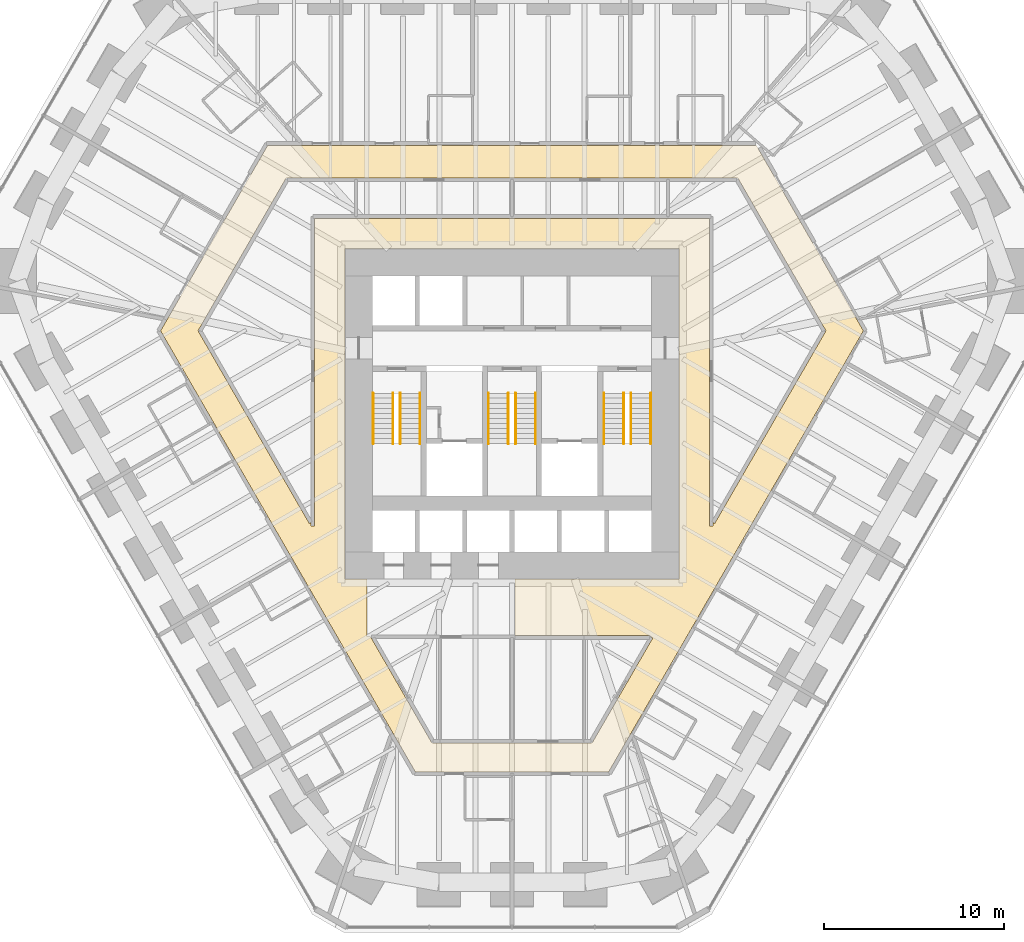
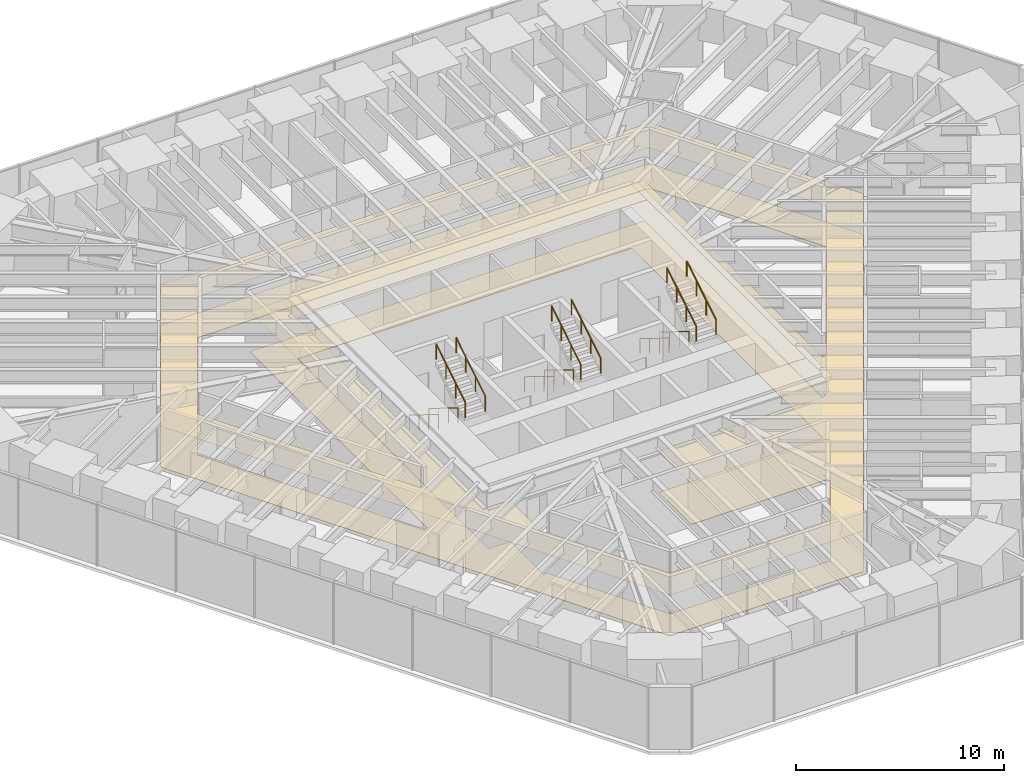
# One storey, part 17 of 17: 12 railings, 2 coverings.
"""IFC4 building model written with IfcOpenShell, lengths in metres."""

from ifc_helpers import new_model, si_unit, direction, frame, origin, origin_2d, place, context, subcontext, project, spatial, polyline, circle, outline, extrude, material, layer, layer_set, type_object, element, save


model = new_model("IFC4")

# Units and contexts
model_context = context("Model", 3, precision=1e-05, world=origin(), true_north=direction((0.0, 1.0)))
body_context = subcontext(model_context, "Body", "Model", "MODEL_VIEW")
ifc_project = project(units=[si_unit("LENGTHUNIT", "METRE"), si_unit("AREAUNIT", "SQUARE_METRE"), si_unit("VOLUMEUNIT", "CUBIC_METRE"), si_unit("PLANEANGLEUNIT", "RADIAN"), si_unit("MASSUNIT", "GRAM", prefix="KILO")], contexts=[model_context])

# Site, building, storey
site_placement = place(None, origin())
site = spatial("IfcSite", under=ifc_project, at=site_placement, CompositionType="ELEMENT")
building_placement = place(site_placement, origin())
building = spatial("IfcBuilding", under=site, at=building_placement, Name="Sandreach Pilgrim Tower", CompositionType="ELEMENT")
storey_placement = place(building_placement, frame((0.0, 0.0, 80.0)))
storey = spatial("IfcBuildingStorey", under=building, at=storey_placement, Name="L19", CompositionType="ELEMENT", Elevation=80.0)

# Covering
ifc_material_1 = material(Name="Gypsum board suspended ceiling on a steel grid", Category="steel")
ifc_layer_1 = layer(ifc_material_1, 0.012939453125)
ifc_layer_set_1 = layer_set([ifc_layer_1], Name="Gypsum board suspended ceiling")
covering_type_1 = type_object("IfcCoveringType", Name="Gypsum board suspended ceiling", PredefinedType="CEILING", material=ifc_layer_set_1)
covering_1_placement = place(storey_placement, frame((0.0, 0.0, 2.39990234375)))
element("IfcCovering", 1, at=covering_1_placement, inside=storey, type_object=covering_type_1, Name="Ceiling 19C Corridor 19", PredefinedType="CEILING", context=body_context, shape_type="SweptSolid", body=[
    extrude(outline(polyline([(-19.49462890625, 3.06005859375), (-13.55224609375, 13.35009765625), (13.55224609375, 13.35009765625), (19.494384765625, 3.06005859375), (5.3623046875, -21.409912109375), (-5.3623046875, -21.409912109375), (-19.49462890625, 3.06005859375)]), holes=[polyline([(-17.41552734375, 3.06005859375), (-11.24658203125, -7.61962890625), (-11.14990234375, -7.563720703125), (-11.14990234375, -7.760009765625), (-10.949951171875, -7.760009765625), (-10.949951171875, 9.300048828125), (10.949951171875, 9.300048828125), (10.949951171875, -7.760009765625), (11.14990234375, -7.760009765625), (11.14990234375, -7.563720703125), (11.24658203125, -7.61962890625), (17.41552734375, 3.06005859375), (12.517822265625, 11.550048828125), (-12.517822265625, 11.550048828125), (-17.41552734375, 3.06005859375)]), polyline([(-8.050048828125, -10.719970703125), (-8.050048828125, -13.89990234375), (-7.8544921875, -13.89990234375), (-4.437744140625, -19.81005859375), (4.437744140625, -19.81005859375), (7.796630859375, -14.0), (7.635009765625, -13.85009765625), (0.179931640625, -13.85009765625), (0.175048828125, -10.719970703125), (9.27001953125, -10.719970703125), (9.27001953125, 7.6201171875), (-9.27001953125, 7.6201171875), (-9.27001953125, -10.719970703125), (-8.050048828125, -10.719970703125)])]), origin(), (0.0, 0.0, 1.0), 0.01318359375),
])

# Railings
ifc_material_2 = material(Name="Stainless steel tube", Category="steel")
railing_type = type_object("IfcRailingType", Name="Stair handrail", PredefinedType="HANDRAIL", material=ifc_material_2)
for number, where, name in (
    (2, (-6.60009765625, -0.39990234375, 0.172607421875), "Handrail ST1 L19 flight 1"),
    (3, (-7.699951171875, -0.39990234375, 0.172607421875), "Handrail ST1 L19 flight 1"),
):
    element("IfcRailing", number, at=place(storey_placement, frame(where)), inside=storey, type_object=railing_type, Name=name, PredefinedType="HANDRAIL", context=body_context, shape_type="SweptSolid", body=[
        extrude(circle(Radius=0.02392578125, at=origin_2d()), frame((0.0, 0.0, 0.8759765625), z_axis=(0.0, -0.851089632645, 0.525020415988), x_axis=(1.0, 0.0, 0.0)), (0.0, 0.0, 1.0), 3.2900390625),
        extrude(circle(Radius=0.02099609375, at=origin_2d()), origin(), (0.0, 0.0, 1.0), 0.851806640625),
        extrude(circle(Radius=0.02099609375, at=origin_2d()), frame((0.0, -0.933349609375, 0.57568359375)), (0.0, 0.0, 1.0), 0.851806640625),
        extrude(circle(Radius=0.02099609375, at=origin_2d()), frame((0.0, -1.86669921875, 1.151611328125)), (0.0, 0.0, 1.0), 0.851806640625),
        extrude(circle(Radius=0.02099609375, at=origin_2d()), frame((0.0, -2.800048828125, 1.727294921875)), (0.0, 0.0, 1.0), 0.851806640625),
    ])
for number, where, name in (
    (4, (-6.199951171875, -3.199951171875, 2.07275390625), "Handrail ST1 L19 flight 2"),
    (5, (-5.10009765625, -3.199951171875, 2.07275390625), "Handrail ST1 L19 flight 2"),
):
    element("IfcRailing", number, at=place(storey_placement, frame(where)), inside=storey, type_object=railing_type, Name=name, PredefinedType="HANDRAIL", context=body_context, shape_type="SweptSolid", body=[
        extrude(circle(Radius=0.02392578125, at=origin_2d()), frame((0.0, 0.0, 0.8759765625), z_axis=(0.0, 0.851089632645, 0.525020415988), x_axis=(-1.0, 0.0, 0.0)), (0.0, 0.0, 1.0), 3.2900390625),
        extrude(circle(Radius=0.02099609375, at=origin_2d()), origin(), (0.0, 0.0, 1.0), 0.851806640625),
        extrude(circle(Radius=0.02099609375, at=origin_2d()), frame((0.0, 0.933349609375, 0.57568359375)), (0.0, 0.0, 1.0), 0.851806640625),
        extrude(circle(Radius=0.02099609375, at=origin_2d()), frame((0.0, 1.86669921875, 1.151611328125)), (0.0, 0.0, 1.0), 0.851806640625),
        extrude(circle(Radius=0.02099609375, at=origin_2d()), frame((0.0, 2.800048828125, 1.727294921875)), (0.0, 0.0, 1.0), 0.851806640625),
    ])
for number, where, name in (
    (6, (-0.199951171875, -0.39990234375, 0.172607421875), "Handrail ST3 L19 flight 1"),
    (7, (-1.300048828125, -0.39990234375, 0.172607421875), "Handrail ST3 L19 flight 1"),
):
    element("IfcRailing", number, at=place(storey_placement, frame(where)), inside=storey, type_object=railing_type, Name=name, PredefinedType="HANDRAIL", context=body_context, shape_type="SweptSolid", body=[
        extrude(circle(Radius=0.02392578125, at=origin_2d()), frame((0.0, 0.0, 0.8759765625), z_axis=(0.0, -0.851089632645, 0.525020415988), x_axis=(1.0, 0.0, 0.0)), (0.0, 0.0, 1.0), 3.2900390625),
        extrude(circle(Radius=0.02099609375, at=origin_2d()), origin(), (0.0, 0.0, 1.0), 0.851806640625),
        extrude(circle(Radius=0.02099609375, at=origin_2d()), frame((0.0, -0.933349609375, 0.57568359375)), (0.0, 0.0, 1.0), 0.851806640625),
        extrude(circle(Radius=0.02099609375, at=origin_2d()), frame((0.0, -1.86669921875, 1.151611328125)), (0.0, 0.0, 1.0), 0.851806640625),
        extrude(circle(Radius=0.02099609375, at=origin_2d()), frame((0.0, -2.800048828125, 1.727294921875)), (0.0, 0.0, 1.0), 0.851806640625),
    ])
for number, where, name in (
    (8, (0.199951171875, -3.199951171875, 2.07275390625), "Handrail ST3 L19 flight 2"),
    (9, (1.300048828125, -3.199951171875, 2.07275390625), "Handrail ST3 L19 flight 2"),
):
    element("IfcRailing", number, at=place(storey_placement, frame(where)), inside=storey, type_object=railing_type, Name=name, PredefinedType="HANDRAIL", context=body_context, shape_type="SweptSolid", body=[
        extrude(circle(Radius=0.02392578125, at=origin_2d()), frame((0.0, 0.0, 0.8759765625), z_axis=(0.0, 0.851089632645, 0.525020415988), x_axis=(-1.0, 0.0, 0.0)), (0.0, 0.0, 1.0), 3.2900390625),
        extrude(circle(Radius=0.02099609375, at=origin_2d()), origin(), (0.0, 0.0, 1.0), 0.851806640625),
        extrude(circle(Radius=0.02099609375, at=origin_2d()), frame((0.0, 0.933349609375, 0.57568359375)), (0.0, 0.0, 1.0), 0.851806640625),
        extrude(circle(Radius=0.02099609375, at=origin_2d()), frame((0.0, 1.86669921875, 1.151611328125)), (0.0, 0.0, 1.0), 0.851806640625),
        extrude(circle(Radius=0.02099609375, at=origin_2d()), frame((0.0, 2.800048828125, 1.727294921875)), (0.0, 0.0, 1.0), 0.851806640625),
    ])
for number, where, name in (
    (10, (6.199951171875, -0.39990234375, 0.172607421875), "Handrail ST2 L19 flight 1"),
    (11, (5.10009765625, -0.39990234375, 0.172607421875), "Handrail ST2 L19 flight 1"),
):
    element("IfcRailing", number, at=place(storey_placement, frame(where)), inside=storey, type_object=railing_type, Name=name, PredefinedType="HANDRAIL", context=body_context, shape_type="SweptSolid", body=[
        extrude(circle(Radius=0.02392578125, at=origin_2d()), frame((0.0, 0.0, 0.8759765625), z_axis=(0.0, -0.851089632645, 0.525020415988), x_axis=(1.0, 0.0, 0.0)), (0.0, 0.0, 1.0), 3.2900390625),
        extrude(circle(Radius=0.02099609375, at=origin_2d()), origin(), (0.0, 0.0, 1.0), 0.851806640625),
        extrude(circle(Radius=0.02099609375, at=origin_2d()), frame((0.0, -0.933349609375, 0.57568359375)), (0.0, 0.0, 1.0), 0.851806640625),
        extrude(circle(Radius=0.02099609375, at=origin_2d()), frame((0.0, -1.86669921875, 1.151611328125)), (0.0, 0.0, 1.0), 0.851806640625),
        extrude(circle(Radius=0.02099609375, at=origin_2d()), frame((0.0, -2.800048828125, 1.727294921875)), (0.0, 0.0, 1.0), 0.851806640625),
    ])
for number, where, name in (
    (12, (6.60009765625, -3.199951171875, 2.07275390625), "Handrail ST2 L19 flight 2"),
    (13, (7.699951171875, -3.199951171875, 2.07275390625), "Handrail ST2 L19 flight 2"),
):
    element("IfcRailing", number, at=place(storey_placement, frame(where)), inside=storey, type_object=railing_type, Name=name, PredefinedType="HANDRAIL", context=body_context, shape_type="SweptSolid", body=[
        extrude(circle(Radius=0.02392578125, at=origin_2d()), frame((0.0, 0.0, 0.8759765625), z_axis=(0.0, 0.851089632645, 0.525020415988), x_axis=(-1.0, 0.0, 0.0)), (0.0, 0.0, 1.0), 3.2900390625),
        extrude(circle(Radius=0.02099609375, at=origin_2d()), origin(), (0.0, 0.0, 1.0), 0.851806640625),
        extrude(circle(Radius=0.02099609375, at=origin_2d()), frame((0.0, 0.933349609375, 0.57568359375)), (0.0, 0.0, 1.0), 0.851806640625),
        extrude(circle(Radius=0.02099609375, at=origin_2d()), frame((0.0, 1.86669921875, 1.151611328125)), (0.0, 0.0, 1.0), 0.851806640625),
        extrude(circle(Radius=0.02099609375, at=origin_2d()), frame((0.0, 2.800048828125, 1.727294921875)), (0.0, 0.0, 1.0), 0.851806640625),
    ])

# Covering
ifc_material_3 = material(Name="Cement terrazzo, ground and polished", Category="terrazzo")
ifc_layer_2 = layer(ifc_material_3, 0.02490234375)
ifc_layer_set_2 = layer_set([ifc_layer_2], Name="Terrazzo")
covering_type_2 = type_object("IfcCoveringType", Name="Terrazzo", PredefinedType="FLOORING", material=ifc_layer_set_2)
covering_2_placement = place(storey_placement, origin())
element("IfcCovering", 14, at=covering_2_placement, inside=storey, type_object=covering_type_2, Name="Floor finish 19C Corridor 19", PredefinedType="FLOORING", context=body_context, shape_type="SweptSolid", body=[
    extrude(outline(polyline([(-19.49462890625, 3.06005859375), (-13.55224609375, 13.35009765625), (13.55224609375, 13.35009765625), (19.494384765625, 3.06005859375), (5.3623046875, -21.409912109375), (-5.3623046875, -21.409912109375), (-19.49462890625, 3.06005859375)]), holes=[polyline([(-17.41552734375, 3.06005859375), (-11.24658203125, -7.61962890625), (-11.14990234375, -7.563720703125), (-11.14990234375, -7.760009765625), (-10.949951171875, -7.760009765625), (-10.949951171875, 9.300048828125), (10.949951171875, 9.300048828125), (10.949951171875, -7.760009765625), (11.14990234375, -7.760009765625), (11.14990234375, -7.563720703125), (11.24658203125, -7.61962890625), (17.41552734375, 3.06005859375), (12.517822265625, 11.550048828125), (-12.517822265625, 11.550048828125), (-17.41552734375, 3.06005859375)]), polyline([(-8.050048828125, -10.719970703125), (-8.050048828125, -13.89990234375), (-7.8544921875, -13.89990234375), (-4.437744140625, -19.81005859375), (4.437744140625, -19.81005859375), (7.796630859375, -14.0), (7.635009765625, -13.85009765625), (0.179931640625, -13.85009765625), (0.175048828125, -10.719970703125), (9.27001953125, -10.719970703125), (9.27001953125, 7.6201171875), (-9.27001953125, 7.6201171875), (-9.27001953125, -10.719970703125), (-8.050048828125, -10.719970703125)])]), origin(), (0.0, 0.0, 1.0), 0.02490234375),
])

save(model, "model.ifc")
